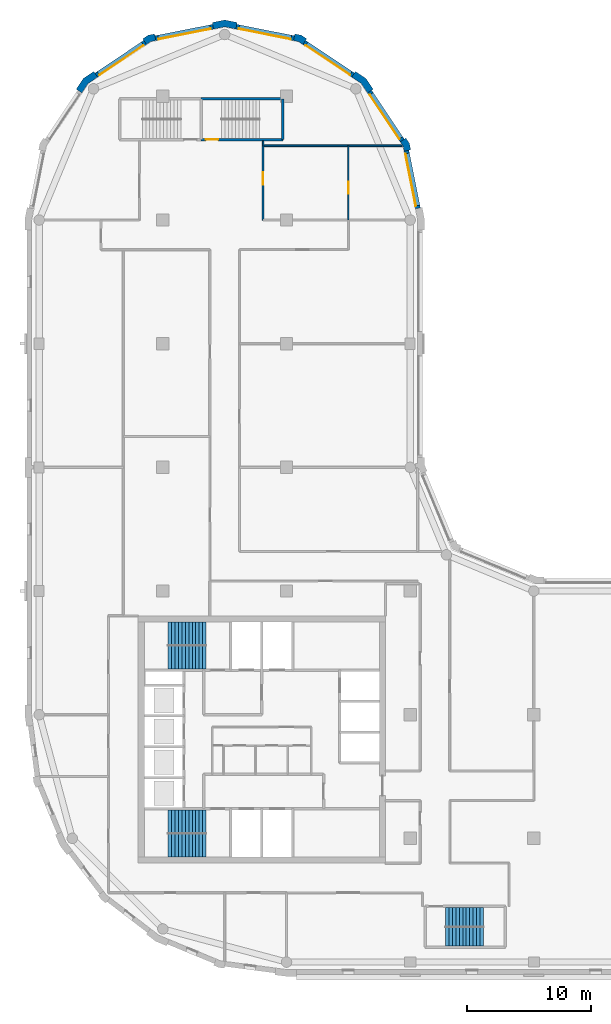
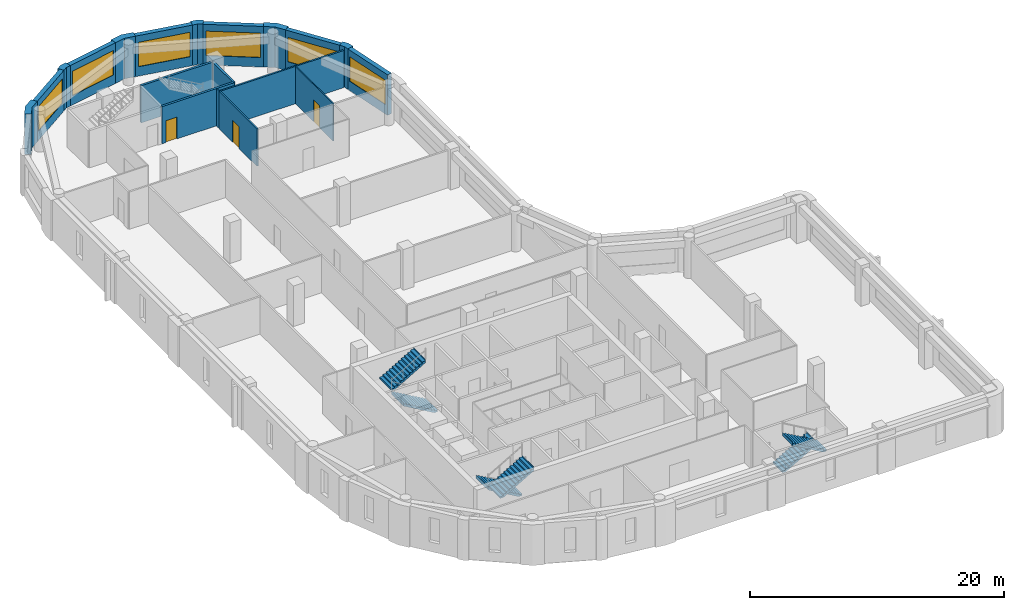
# One storey, part 6 of 9: 19 walls, 6 stair flights, 6 windows, 3 doors, 9 openings, 3 elements without a shape of their own.
"""IFC4 building model written with IfcOpenShell, lengths in metres."""

from ifc_helpers import new_model, si_unit, direction, frame, frame_2d, origin, place, context, subcontext, project, spatial, polyline, rectangle, outline, extrude, material, layer, layer_set, type_object, element, fill, aggregate, save


model = new_model("IFC4")

# Units and contexts
model_context = context("Model", 3, precision=1e-05, world=origin(), true_north=direction((0.0, 1.0)))
body_context = subcontext(model_context, "Body", "Model", "MODEL_VIEW")
ifc_project = project(units=[si_unit("LENGTHUNIT", "METRE"), si_unit("AREAUNIT", "SQUARE_METRE"), si_unit("VOLUMEUNIT", "CUBIC_METRE"), si_unit("PLANEANGLEUNIT", "RADIAN"), si_unit("MASSUNIT", "GRAM", prefix="KILO")], contexts=[model_context])

# Site, building, storey
site_placement = place(None, origin())
site = spatial("IfcSite", under=ifc_project, at=site_placement, CompositionType="ELEMENT")
building_placement = place(site_placement, origin())
building = spatial("IfcBuilding", under=site, at=building_placement, Name="Qaws Garden Tower", CompositionType="ELEMENT")
storey_placement = place(building_placement, frame((0.0, 0.0, 263.10009765625)))
storey = spatial("IfcBuildingStorey", under=building, at=storey_placement, Name="L63", CompositionType="ELEMENT", Elevation=263.10009765625)

# Wall, opening, window
ifc_material_1 = material(Name="Clay facing brick masonry", Category="masonry")
ifc_layer_1 = layer(ifc_material_1, 0.39990234375)
ifc_layer_set_1 = layer_set([ifc_layer_1], Name="Clay facing brick masonry")
wall_type_1 = type_object("IfcWallType", Name="Brick infill wall 400", PredefinedType="SOLIDWALL", material=ifc_layer_set_1)
wall_1_placement = place(storey_placement, frame((30.628662109375, 60.940673828125, 0.0), z_axis=(0.0, 0.0, 1.0), x_axis=(-0.195098533057, 0.98078364709, 0.0)))
wall_1 = element("IfcWall", 1, at=wall_1_placement, inside=storey, type_object=wall_type_1, Name="E-L63-infill-11", PredefinedType="SOLIDWALL", context=body_context, shape_type="SweptSolid", body=[
    extrude(rectangle(XDim=4.752685546875, YDim=0.39990234375, at=frame_2d((2.37646484375, 0.0))), origin(), (0.0, 0.0, 1.0), 3.89990234375),
])
opening_1_placement = place(wall_1_placement, frame((0.226318359375, 0.0, 0.89990234375)))
opening_1 = element("IfcOpeningElement", 2, at=opening_1_placement, cuts=wall_1, Name="Opening W06", PredefinedType="OPENING", context=body_context, shape_type="SweptSolid", body=[
    extrude(rectangle(XDim=4.300048828125, YDim=2.35009765625, at=frame_2d((2.14990234375, 1.175048828125))), frame((0.0, 0.2099609375, 0.0), z_axis=(0.0, -1.0, 0.0), x_axis=(1.0, 0.0, 0.0)), (0.0, 0.0, 1.0), 0.419921875),
])
ifc_material_2 = material(Name="Aluminium framed window, clear glazing", Category="aluminium")
window_type = type_object("IfcWindowType", Name="Ribbon window 4300 x 2350", PartitioningType="DOUBLE_PANEL_VERTICAL", PredefinedType="WINDOW", material=ifc_material_2)
window_1_placement = place(opening_1_placement, origin())
window_1 = element("IfcWindow", 3, at=window_1_placement, inside=storey, type_object=window_type, Name="E-L63-window-11-0", OverallHeight=2.35009765625, OverallWidth=4.300048828125, PartitioningType="SINGLE_PANEL", PredefinedType="WINDOW", context=body_context, shape_type="SweptSolid", body=[
    extrude(rectangle(XDim=4.300048828125, YDim=2.35009765625, at=frame_2d((2.14990234375, 1.175048828125))), frame((0.0, 0.159912109375, 0.0), z_axis=(0.0, -1.0, 0.0), x_axis=(1.0, 0.0, 0.0)), (0.0, 0.0, 1.0), 0.06005859375),
])
fill(opening_1, window_1)

wall_2_placement = place(storey_placement, frame((29.356689453125, 66.43408203125, 0.0), z_axis=(0.0, 0.0, 1.0), x_axis=(-0.555541552266, 0.831488775454, 0.0)))
wall_2 = element("IfcWall", 4, at=wall_2_placement, inside=storey, type_object=wall_type_1, Name="E-L63-infill-12", PredefinedType="SOLIDWALL", context=body_context, shape_type="SweptSolid", body=[
    extrude(rectangle(XDim=4.752685546875, YDim=0.39990234375, at=frame_2d((2.37646484375, 0.0))), origin(), (0.0, 0.0, 1.0), 3.89990234375),
])
opening_2_placement = place(wall_2_placement, frame((0.226318359375, 0.0, 0.89990234375)))
opening_2 = element("IfcOpeningElement", 5, at=opening_2_placement, cuts=wall_2, Name="Opening W06", PredefinedType="OPENING", context=body_context, shape_type="SweptSolid", body=[
    extrude(rectangle(XDim=4.300048828125, YDim=2.35009765625, at=frame_2d((2.14990234375, 1.175048828125))), frame((0.0, 0.2099609375, 0.0), z_axis=(0.0, -1.0, 0.0), x_axis=(1.0, 0.0, 0.0)), (0.0, 0.0, 1.0), 0.419921875),
])
window_2_placement = place(opening_2_placement, origin())
window_2 = element("IfcWindow", 6, at=window_2_placement, inside=storey, type_object=window_type, Name="E-L63-window-12-0", OverallHeight=2.35009765625, OverallWidth=4.300048828125, PartitioningType="SINGLE_PANEL", PredefinedType="WINDOW", context=body_context, shape_type="SweptSolid", body=[
    extrude(rectangle(XDim=4.300048828125, YDim=2.35009765625, at=frame_2d((2.14990234375, 1.175048828125))), frame((0.0, 0.159912109375, 0.0), z_axis=(0.0, -1.0, 0.0), x_axis=(1.0, 0.0, 0.0)), (0.0, 0.0, 1.0), 0.06005859375),
])
fill(opening_2, window_2)

wall_3_placement = place(storey_placement, frame((25.385986328125, 71.71630859375, 0.0), z_axis=(0.0, 0.0, 1.0), x_axis=(-0.831488775454, 0.555541552266, 0.0)))
wall_3 = element("IfcWall", 7, at=wall_3_placement, inside=storey, type_object=wall_type_1, Name="E-L63-infill-13", PredefinedType="SOLIDWALL", context=body_context, shape_type="SweptSolid", body=[
    extrude(rectangle(XDim=4.752685546875, YDim=0.39990234375, at=frame_2d((2.37646484375, 0.0))), origin(), (0.0, 0.0, 1.0), 3.89990234375),
])
opening_3_placement = place(wall_3_placement, frame((0.226318359375, 0.0, 0.89990234375)))
opening_3 = element("IfcOpeningElement", 8, at=opening_3_placement, cuts=wall_3, Name="Opening W06", PredefinedType="OPENING", context=body_context, shape_type="SweptSolid", body=[
    extrude(rectangle(XDim=4.300048828125, YDim=2.35009765625, at=frame_2d((2.14990234375, 1.175048828125))), frame((0.0, 0.2099609375, 0.0), z_axis=(0.0, -1.0, 0.0), x_axis=(1.0, 0.0, 0.0)), (0.0, 0.0, 1.0), 0.419921875),
])
window_3_placement = place(opening_3_placement, origin())
window_3 = element("IfcWindow", 9, at=window_3_placement, inside=storey, type_object=window_type, Name="E-L63-window-13-0", OverallHeight=2.35009765625, OverallWidth=4.300048828125, PartitioningType="SINGLE_PANEL", PredefinedType="WINDOW", context=body_context, shape_type="SweptSolid", body=[
    extrude(rectangle(XDim=4.300048828125, YDim=2.35009765625, at=frame_2d((2.14990234375, 1.175048828125))), frame((0.0, 0.159912109375, 0.0), z_axis=(0.0, -1.0, 0.0), x_axis=(1.0, 0.0, 0.0)), (0.0, 0.0, 1.0), 0.06005859375),
])
fill(opening_3, window_3)

wall_4_placement = place(storey_placement, frame((20.60205078125, 74.701416015625, 0.0), z_axis=(0.0, 0.0, 1.0), x_axis=(-0.98078364709, 0.195098533057, 0.0)))
wall_4 = element("IfcWall", 10, at=wall_4_placement, inside=storey, type_object=wall_type_1, Name="E-L63-infill-14", PredefinedType="SOLIDWALL", context=body_context, shape_type="SweptSolid", body=[
    extrude(rectangle(XDim=4.752685546875, YDim=0.39990234375, at=frame_2d((2.37646484375, 0.0))), origin(), (0.0, 0.0, 1.0), 3.89990234375),
])
opening_4_placement = place(wall_4_placement, frame((0.226318359375, 0.0, 0.89990234375)))
opening_4 = element("IfcOpeningElement", 11, at=opening_4_placement, cuts=wall_4, Name="Opening W06", PredefinedType="OPENING", context=body_context, shape_type="SweptSolid", body=[
    extrude(rectangle(XDim=4.300048828125, YDim=2.35009765625, at=frame_2d((2.14990234375, 1.175048828125))), frame((0.0, 0.2099609375, 0.0), z_axis=(0.0, -1.0, 0.0), x_axis=(1.0, 0.0, 0.0)), (0.0, 0.0, 1.0), 0.419921875),
])
window_4_placement = place(opening_4_placement, origin())
window_4 = element("IfcWindow", 12, at=window_4_placement, inside=storey, type_object=window_type, Name="E-L63-window-14-0", OverallHeight=2.35009765625, OverallWidth=4.300048828125, PartitioningType="SINGLE_PANEL", PredefinedType="WINDOW", context=body_context, shape_type="SweptSolid", body=[
    extrude(rectangle(XDim=4.300048828125, YDim=2.35009765625, at=frame_2d((2.14990234375, 1.175048828125))), frame((0.0, 0.159912109375, 0.0), z_axis=(0.0, -1.0, 0.0), x_axis=(1.0, 0.0, 0.0)), (0.0, 0.0, 1.0), 0.06005859375),
])
fill(opening_4, window_4)

wall_5_placement = place(storey_placement, frame((14.059326171875, 75.628662109375, 0.0), z_axis=(0.0, 0.0, 1.0), x_axis=(-0.98078364709, -0.195098533057, 0.0)))
wall_5 = element("IfcWall", 13, at=wall_5_placement, inside=storey, type_object=wall_type_1, Name="E-L63-infill-15", PredefinedType="SOLIDWALL", context=body_context, shape_type="SweptSolid", body=[
    extrude(rectangle(XDim=4.752685546875, YDim=0.39990234375, at=frame_2d((2.37646484375, 0.0))), origin(), (0.0, 0.0, 1.0), 3.89990234375),
])
opening_5_placement = place(wall_5_placement, frame((0.226318359375, 0.0, 0.89990234375)))
opening_5 = element("IfcOpeningElement", 14, at=opening_5_placement, cuts=wall_5, Name="Opening W06", PredefinedType="OPENING", context=body_context, shape_type="SweptSolid", body=[
    extrude(rectangle(XDim=4.300048828125, YDim=2.35009765625, at=frame_2d((2.14990234375, 1.175048828125))), frame((0.0, 0.2099609375, 0.0), z_axis=(0.0, -1.0, 0.0), x_axis=(1.0, 0.0, 0.0)), (0.0, 0.0, 1.0), 0.419921875),
])
window_5_placement = place(opening_5_placement, origin())
window_5 = element("IfcWindow", 15, at=window_5_placement, inside=storey, type_object=window_type, Name="E-L63-window-15-0", OverallHeight=2.35009765625, OverallWidth=4.300048828125, PartitioningType="SINGLE_PANEL", PredefinedType="WINDOW", context=body_context, shape_type="SweptSolid", body=[
    extrude(rectangle(XDim=4.300048828125, YDim=2.35009765625, at=frame_2d((2.14990234375, 1.175048828125))), frame((0.0, 0.159912109375, 0.0), z_axis=(0.0, -1.0, 0.0), x_axis=(1.0, 0.0, 0.0)), (0.0, 0.0, 1.0), 0.06005859375),
])
fill(opening_5, window_5)

wall_6_placement = place(storey_placement, frame((8.56591796875, 74.356689453125, 0.0), z_axis=(0.0, 0.0, 1.0), x_axis=(-0.831488775454, -0.555541552266, 0.0)))
wall_6 = element("IfcWall", 16, at=wall_6_placement, inside=storey, type_object=wall_type_1, Name="E-L63-infill-16", PredefinedType="SOLIDWALL", context=body_context, shape_type="SweptSolid", body=[
    extrude(rectangle(XDim=4.752685546875, YDim=0.39990234375, at=frame_2d((2.37646484375, 0.0))), origin(), (0.0, 0.0, 1.0), 3.89990234375),
])
opening_6_placement = place(wall_6_placement, frame((0.226318359375, 0.0, 0.89990234375)))
opening_6 = element("IfcOpeningElement", 17, at=opening_6_placement, cuts=wall_6, Name="Opening W06", PredefinedType="OPENING", context=body_context, shape_type="SweptSolid", body=[
    extrude(rectangle(XDim=4.300048828125, YDim=2.35009765625, at=frame_2d((2.14990234375, 1.175048828125))), frame((0.0, 0.2099609375, 0.0), z_axis=(0.0, -1.0, 0.0), x_axis=(1.0, 0.0, 0.0)), (0.0, 0.0, 1.0), 0.419921875),
])
window_6_placement = place(opening_6_placement, origin())
window_6 = element("IfcWindow", 18, at=window_6_placement, inside=storey, type_object=window_type, Name="E-L63-window-16-0", OverallHeight=2.35009765625, OverallWidth=4.300048828125, PartitioningType="SINGLE_PANEL", PredefinedType="WINDOW", context=body_context, shape_type="SweptSolid", body=[
    extrude(rectangle(XDim=4.300048828125, YDim=2.35009765625, at=frame_2d((2.14990234375, 1.175048828125))), frame((0.0, 0.159912109375, 0.0), z_axis=(0.0, -1.0, 0.0), x_axis=(1.0, 0.0, 0.0)), (0.0, 0.0, 1.0), 0.06005859375),
])
fill(opening_6, window_6)

# Walls
ifc_material_3 = material(Name="Clay facing brick masonry", Category="masonry")
ifc_layer_2 = layer(ifc_material_3, 0.550048828125)
ifc_layer_set_2 = layer_set([ifc_layer_2], Name="Clay facing brick masonry")
wall_type_2 = type_object("IfcWallType", Name="Brick kink pier 550 x 600", PredefinedType="SOLIDWALL", material=ifc_layer_set_2)
placement = place(storey_placement, origin())
element("IfcWall", 19, at=placement, inside=storey, type_object=wall_type_2, Name="E-L63-pier-12", PredefinedType="SOLIDWALL", context=body_context, shape_type="SweptSolid", body=[
    extrude(outline(polyline([(29.8974609375, 65.64111328125), (30.044677734375, 65.67041015625), (29.94140625, 66.18896484375), (29.647705078125, 66.628662109375), (29.52294921875, 66.545166015625), (29.1904296875, 66.322998046875), (29.42333984375, 65.974365234375), (29.505126953125, 65.56298828125), (29.8974609375, 65.64111328125)])), origin(), (0.0, 0.0, 1.0), 3.89990234375),
])
element("IfcWall", 20, at=placement, inside=storey, type_object=wall_type_2, Name="E-L63-pier-14", PredefinedType="SOLIDWALL", context=body_context, shape_type="SweptSolid", body=[
    extrude(outline(polyline([(21.545166015625, 74.52294921875), (21.628662109375, 74.647705078125), (21.18896484375, 74.94140625), (20.67041015625, 75.044677734375), (20.64111328125, 74.8974609375), (20.56298828125, 74.505126953125), (20.974365234375, 74.42333984375), (21.322998046875, 74.1904296875), (21.545166015625, 74.52294921875)])), origin(), (0.0, 0.0, 1.0), 3.89990234375),
])
element("IfcWall", 21, at=placement, inside=storey, type_object=wall_type_2, Name="E-L63-pier-16", PredefinedType="SOLIDWALL", context=body_context, shape_type="SweptSolid", body=[
    extrude(outline(polyline([(9.35888671875, 74.8974609375), (9.32958984375, 75.044677734375), (8.81103515625, 74.94140625), (8.371337890625, 74.647705078125), (8.454833984375, 74.52294921875), (8.677001953125, 74.1904296875), (9.025634765625, 74.42333984375), (9.43701171875, 74.505126953125), (9.35888671875, 74.8974609375)])), origin(), (0.0, 0.0, 1.0), 3.89990234375),
])
ifc_material_4 = material(Name="Clay facing brick masonry", Category="masonry")
ifc_layer_3 = layer(ifc_material_4, 0.550048828125)
ifc_layer_set_3 = layer_set([ifc_layer_3], Name="Clay facing brick masonry")
wall_type_3 = type_object("IfcWallType", Name="Brick pier 550 x 1600", PredefinedType="SOLIDWALL", material=ifc_layer_set_3)
element("IfcWall", 22, at=placement, inside=storey, type_object=wall_type_3, Name="E-L63-pier-13", PredefinedType="SOLIDWALL", context=body_context, shape_type="SweptSolid", body=[
    extrude(outline(polyline([(26.882568359375, 70.4970703125), (27.00732421875, 70.580322265625), (26.435791015625, 71.435791015625), (25.580322265625, 72.00732421875), (25.4970703125, 71.882568359375), (25.274658203125, 71.550048828125), (26.0390625, 71.0390625), (26.550048828125, 70.274658203125), (26.882568359375, 70.4970703125)])), origin(), (0.0, 0.0, 1.0), 3.89990234375),
])
element("IfcWall", 23, at=placement, inside=storey, type_object=wall_type_3, Name="E-L63-pier-15", PredefinedType="SOLIDWALL", context=body_context, shape_type="SweptSolid", body=[
    extrude(outline(polyline([(15.979736328125, 75.82470703125), (16.009033203125, 75.971923828125), (15.0, 76.172607421875), (13.990966796875, 75.971923828125), (14.020263671875, 75.82470703125), (14.098388671875, 75.432373046875), (15.0, 75.61181640625), (15.901611328125, 75.432373046875), (15.979736328125, 75.82470703125)])), origin(), (0.0, 0.0, 1.0), 3.89990234375),
])
element("IfcWall", 24, at=placement, inside=storey, type_object=wall_type_3, Name="E-L63-pier-17", PredefinedType="SOLIDWALL", context=body_context, shape_type="SweptSolid", body=[
    extrude(outline(polyline([(4.5029296875, 71.882568359375), (4.419677734375, 72.00732421875), (3.564208984375, 71.435791015625), (2.99267578125, 70.580322265625), (3.117431640625, 70.4970703125), (3.449951171875, 70.274658203125), (3.9609375, 71.0390625), (4.725341796875, 71.550048828125), (4.5029296875, 71.882568359375)])), origin(), (0.0, 0.0, 1.0), 3.89990234375),
])

# Wall, opening, door
ifc_material_5 = material(Name="Concrete C60", Category="concrete")
ifc_layer_4 = layer(ifc_material_5, 0.199951171875)
ifc_layer_set_4 = layer_set([ifc_layer_4], Name="Concrete C60")
wall_type_4 = type_object("IfcWallType", Name="Core shaft wall 200 C60", PredefinedType="SHEAR", material=ifc_layer_set_4)
wall_13_placement = place(storey_placement, frame((13.10009765625, 66.5, 0.0), z_axis=(0.0, 0.0, 1.0), x_axis=(1.0, 0.0, 0.0)))
wall_13 = element("IfcWall", 25, at=wall_13_placement, inside=storey, type_object=wall_type_4, Name="Shaft wall", PredefinedType="SHEAR", context=body_context, shape_type="SweptSolid", body=[
    extrude(rectangle(XDim=6.599853515625, YDim=0.199951171875, at=frame_2d((3.2998046875, 0.0))), origin(), (0.0, 0.0, 1.0), 3.579833984375),
])
opening_7_placement = place(wall_13_placement, frame((0.375, 0.0, 0.0)))
opening_7 = element("IfcOpeningElement", 26, at=opening_7_placement, cuts=wall_13, Name="Opening SD14", PredefinedType="OPENING", context=body_context, shape_type="SweptSolid", body=[
    extrude(rectangle(XDim=1.0, YDim=2.10009765625, at=frame_2d((0.5, 1.050048828125))), frame((0.0, 0.10986328125, 0.0), z_axis=(0.0, -1.0, 0.0), x_axis=(1.0, 0.0, 0.0)), (0.0, 0.0, 1.0), 0.219970703125),
])
ifc_material_6 = material(Name="Steel S235", Category="steel")
door_type_1 = type_object("IfcDoorType", Name="Stair door 1000x2100", OperationType="SINGLE_SWING_RIGHT", PredefinedType="DOOR", material=ifc_material_6)
door_1_placement = place(opening_7_placement, origin())
door_1 = element("IfcDoor", 27, at=door_1_placement, inside=storey, type_object=door_type_1, Name="Stair 7 door", OperationType="SINGLE_SWING_LEFT", OverallHeight=2.10009765625, OverallWidth=1.0, PredefinedType="DOOR", context=body_context, shape_type="SweptSolid", body=[
    extrude(rectangle(XDim=1.0, YDim=2.10009765625, at=frame_2d((0.5, 1.050048828125))), frame((0.0, 0.02490234375, 0.0), z_axis=(0.0, -1.0, 0.0), x_axis=(1.0, 0.0, 0.0)), (0.0, 0.0, 1.0), 0.050048828125),
])
fill(opening_7, door_1)

# Walls
wall_14_placement = place(storey_placement, frame((13.10009765625, 69.800048828125, 0.0), z_axis=(0.0, 0.0, 1.0), x_axis=(1.0, 0.0, 0.0)))
element("IfcWall", 28, at=wall_14_placement, inside=storey, type_object=wall_type_4, Name="Shaft wall", PredefinedType="SHEAR", context=body_context, shape_type="SweptSolid", body=[
    extrude(rectangle(XDim=6.599853515625, YDim=0.199951171875, at=frame_2d((3.2998046875, 0.0))), origin(), (0.0, 0.0, 1.0), 3.579833984375),
])
wall_15_placement = place(storey_placement, frame((19.699951171875, 66.5, 0.0), z_axis=(0.0, 0.0, 1.0), x_axis=(0.0, 1.0, 0.0)))
element("IfcWall", 29, at=wall_15_placement, inside=storey, type_object=wall_type_4, Name="Shaft wall", PredefinedType="SHEAR", context=body_context, shape_type="SweptSolid", body=[
    extrude(rectangle(XDim=3.300048828125, YDim=0.199951171875, at=frame_2d((1.64990234375, 0.0))), origin(), (0.0, 0.0, 1.0), 3.579833984375),
])
ifc_material_7 = material(Name="Glass and aluminium framing", Category="aluminium")
ifc_layer_5 = layer(ifc_material_7, 0.1201171875)
ifc_layer_set_5 = layer_set([ifc_layer_5], Name="Glass and aluminium framing")
wall_type_5 = type_object("IfcWallType", Name="GLAZED PARTITION 120 EI 30", PredefinedType="PARTITIONING", material=ifc_layer_set_5)
wall_16_placement = place(storey_placement, frame((18.10009765625, 66.0, 0.0), z_axis=(0.0, 0.0, 1.0), x_axis=(0.0, 1.0, 0.0)))
element("IfcWall", 30, at=wall_16_placement, inside=storey, type_object=wall_type_5, Name="O-L63-wall-043", PredefinedType="PARTITIONING", context=body_context, shape_type="SweptSolid", body=[
    extrude(rectangle(XDim=0.39990234375, YDim=0.1201171875, at=frame_2d((0.199951171875, 0.0))), origin(), (0.0, 0.0, 1.0), 3.579833984375),
])

# Wall, opening, door
ifc_material_8 = material(Name="Gypsum board partition")
ifc_layer_6 = layer(ifc_material_8, 0.10009765625)
ifc_layer_set_6 = layer_set([ifc_layer_6], Name="Gypsum board partition")
wall_type_6 = type_object("IfcWallType", Name="PARTITION 100", PredefinedType="PARTITIONING", material=ifc_layer_set_6)
wall_17_placement = place(storey_placement, frame((25.0, 60.0, 0.0), z_axis=(0.0, 0.0, 1.0), x_axis=(0.0, 1.0, 0.0)))
wall_17 = element("IfcWall", 31, at=wall_17_placement, inside=storey, type_object=wall_type_6, Name="O-L63-wall-001", PredefinedType="PARTITIONING", context=body_context, shape_type="SweptSolid", body=[
    extrude(rectangle(XDim=6.0, YDim=0.10009765625, at=frame_2d((3.0, 0.0))), origin(), (0.0, 0.0, 1.0), 3.579833984375),
])
opening_8_placement = place(wall_17_placement, frame((2.125, 0.0, 0.0)))
opening_8 = element("IfcOpeningElement", 32, at=opening_8_placement, cuts=wall_17, Name="Opening C219", PredefinedType="OPENING", context=body_context, shape_type="SweptSolid", body=[
    extrude(rectangle(XDim=0.949951171875, YDim=2.10009765625, at=frame_2d((0.47509765625, 1.050048828125))), frame((0.0, 0.06005859375, 0.0), z_axis=(0.0, -1.0, 0.0), x_axis=(1.0, 0.0, 0.0)), (0.0, 0.0, 1.0), 0.1201171875),
])
ifc_material_9 = material(Name="Timber and glass door leaf", Category="wood")
door_type_2 = type_object("IfcDoorType", Name="GLAZED DOOR 950 X 2100", OperationType="SINGLE_SWING_LEFT", PredefinedType="DOOR", material=ifc_material_9)
door_2_placement = place(opening_8_placement, frame((0.949951171875, 0.0, 0.0), z_axis=(0.0, 0.0, 1.0), x_axis=(-1.0, 0.0, 0.0)))
door_2 = element("IfcDoor", 33, at=door_2_placement, inside=storey, type_object=door_type_2, Name="O-L63-door-019", OperationType="SINGLE_SWING_RIGHT", OverallHeight=2.10009765625, OverallWidth=0.949951171875, PredefinedType="DOOR", context=body_context, shape_type="SweptSolid", body=[
    extrude(rectangle(XDim=0.949951171875, YDim=2.10009765625, at=frame_2d((0.47509765625, 1.050048828125))), frame((0.0, 0.02490234375, 0.0), z_axis=(0.0, -1.0, 0.0), x_axis=(1.0, 0.0, 0.0)), (0.0, 0.0, 1.0), 0.050048828125),
])
fill(opening_8, door_2)

ifc_material_10 = material(Name="Gypsum board partition")
ifc_layer_7 = layer(ifc_material_10, 0.14990234375)
ifc_layer_set_7 = layer_set([ifc_layer_7], Name="Gypsum board partition")
wall_type_7 = type_object("IfcWallType", Name="PARTITION 150 EI 60", PredefinedType="PARTITIONING", material=ifc_layer_set_7)
wall_18_placement = place(storey_placement, frame((18.10009765625, 60.0, 0.0), z_axis=(0.0, 0.0, 1.0), x_axis=(0.0, 1.0, 0.0)))
wall_18 = element("IfcWall", 34, at=wall_18_placement, inside=storey, type_object=wall_type_7, Name="O-L63-wall-009", PredefinedType="PARTITIONING", context=body_context, shape_type="SweptSolid", body=[
    extrude(rectangle(XDim=6.0, YDim=0.14990234375, at=frame_2d((3.0, 0.0))), origin(), (0.0, 0.0, 1.0), 3.579833984375),
])
opening_9_placement = place(wall_18_placement, frame((2.85009765625, 0.0, 0.0)))
opening_9 = element("IfcOpeningElement", 35, at=opening_9_placement, cuts=wall_18, Name="Opening C209", PredefinedType="OPENING", context=body_context, shape_type="SweptSolid", body=[
    extrude(rectangle(XDim=1.0, YDim=2.10009765625, at=frame_2d((0.5, 1.050048828125))), frame((0.0, 0.0849609375, 0.0), z_axis=(0.0, -1.0, 0.0), x_axis=(1.0, 0.0, 0.0)), (0.0, 0.0, 1.0), 0.169921875),
])
ifc_material_11 = material(Name="Timber door leaf", Category="wood")
door_type_3 = type_object("IfcDoorType", Name="TENANCY ENTRANCE DOOR 1000 X 2100", OperationType="SINGLE_SWING_LEFT", PredefinedType="DOOR", material=ifc_material_11)
door_3_placement = place(opening_9_placement, frame((1.0, 0.0, 0.0), z_axis=(0.0, 0.0, 1.0), x_axis=(-1.0, 0.0, 0.0)))
door_3 = element("IfcDoor", 36, at=door_3_placement, inside=storey, type_object=door_type_3, Name="O-L63-door-009", OperationType="SINGLE_SWING_RIGHT", OverallHeight=2.10009765625, OverallWidth=1.0, PredefinedType="DOOR", context=body_context, shape_type="SweptSolid", body=[
    extrude(rectangle(XDim=1.0, YDim=2.10009765625, at=frame_2d((0.5, 1.050048828125))), frame((0.0, 0.02490234375, 0.0), z_axis=(0.0, -1.0, 0.0), x_axis=(1.0, 0.0, 0.0)), (0.0, 0.0, 1.0), 0.050048828125),
])
fill(opening_9, door_3)

# Wall
wall_19_placement = place(storey_placement, frame((18.10009765625, 66.0, 0.0), z_axis=(0.0, 0.0, 1.0), x_axis=(1.0, 0.0, 0.0)))
element("IfcWall", 37, at=wall_19_placement, inside=storey, type_object=wall_type_7, Name="O-L63-wall-038", PredefinedType="PARTITIONING", context=body_context, shape_type="SweptSolid", body=[
    extrude(rectangle(XDim=11.256103515625, YDim=0.14990234375, at=frame_2d((5.6279296875, 0.0))), origin(), (0.0, 0.0, 1.0), 3.579833984375),
])

# Stair, stair flights
ifc_material_12 = material(Name="Concrete C40", Category="concrete")
stair_type_1 = type_object("IfcStairType", Name="Exit stair 1350", PredefinedType="HALF_TURN_STAIR", material=ifc_material_12)
stair_1 = element("IfcStair", 38, at=placement, inside=storey, type_object=stair_type_1, Name="Stair 5", PredefinedType="HALF_TURN_STAIR")
ifc_material_13 = material(Name="Concrete C40", Category="concrete")
stair_flight_type_1 = type_object("IfcStairFlightType", Name="Stair flight 1350", PredefinedType="STRAIGHT", material=ifc_material_13)
stair_flight_1_placement = place(storey_placement, frame((32.85009765625, 3.625, 0.0), z_axis=(0.0, 0.0, 1.0), x_axis=(1.0, 0.0, 0.0)))
stair_flight_1 = element("IfcStairFlight", 39, at=stair_flight_1_placement, type_object=stair_flight_type_1, Name="ST5 flight 1", NumberOfRisers=12, NumberOfTreads=11, PredefinedType="STRAIGHT", RiserHeight=0.1625, TreadLength=0.28, context=body_context, shape_type="SweptSolid", body=[
    extrude(outline(polyline([(-0.0029296875, 0.0), (-0.0029296875, 0.16259765625), (0.0, 0.16259765625), (0.280029296875, 0.16259765625), (0.280029296875, 0.324951171875), (0.56005859375, 0.324951171875), (0.56005859375, 0.487548828125), (0.840087890625, 0.487548828125), (0.840087890625, 0.64990234375), (1.1201171875, 0.64990234375), (1.1201171875, 0.8125), (1.39990234375, 0.8125), (1.39990234375, 0.97509765625), (1.679931640625, 0.97509765625), (1.679931640625, 1.137451171875), (1.9599609375, 1.137451171875), (1.9599609375, 1.300048828125), (2.239990234375, 1.300048828125), (2.239990234375, 1.46240234375), (2.52001953125, 1.46240234375), (2.52001953125, 1.625), (2.800048828125, 1.625), (2.800048828125, 1.78759765625), (3.080078125, 1.78759765625), (3.080078125, 1.949951171875), (3.0830078125, 1.949951171875), (3.0830078125, 1.6142578125), (3.080078125, 1.6142578125), (0.298583984375, 0.0), (-0.0029296875, 0.0)])), frame((0.0, 0.77490234375, 0.0), z_axis=(0.0, -1.0, 0.0), x_axis=(1.0, 0.0, 0.0)), (0.0, 0.0, 1.0), 1.550048828125),
])
stair_flight_2_placement = place(storey_placement, frame((35.929931640625, 2.074951171875, 1.949951171875), z_axis=(0.0, 0.0, 1.0), x_axis=(-1.0, 0.0, 0.0)))
stair_flight_2 = element("IfcStairFlight", 40, at=stair_flight_2_placement, type_object=stair_flight_type_1, Name="ST5 flight 2", NumberOfRisers=12, NumberOfTreads=11, PredefinedType="STRAIGHT", RiserHeight=0.1625, TreadLength=0.28, context=body_context, shape_type="SweptSolid", body=[
    extrude(outline(polyline([(-0.0029296875, 0.0), (-0.0029296875, 0.16259765625), (0.0, 0.16259765625), (0.280029296875, 0.16259765625), (0.280029296875, 0.324951171875), (0.56005859375, 0.324951171875), (0.56005859375, 0.487548828125), (0.840087890625, 0.487548828125), (0.840087890625, 0.64990234375), (1.1201171875, 0.64990234375), (1.1201171875, 0.8125), (1.39990234375, 0.8125), (1.39990234375, 0.97509765625), (1.679931640625, 0.97509765625), (1.679931640625, 1.137451171875), (1.9599609375, 1.137451171875), (1.9599609375, 1.300048828125), (2.239990234375, 1.300048828125), (2.239990234375, 1.46240234375), (2.52001953125, 1.46240234375), (2.52001953125, 1.625), (2.800048828125, 1.625), (2.800048828125, 1.78759765625), (3.080078125, 1.78759765625), (3.080078125, 1.949951171875), (3.0830078125, 1.949951171875), (3.0830078125, 1.6142578125), (3.080078125, 1.6142578125), (0.298583984375, 0.0), (-0.0029296875, 0.0)])), frame((0.0, 0.77490234375, 0.0), z_axis=(0.0, -1.0, 0.0), x_axis=(1.0, 0.0, 0.0)), (0.0, 0.0, 1.0), 1.550048828125),
])
aggregate(stair_1, [stair_flight_1, stair_flight_2])

ifc_material_14 = material(Name="Concrete C40", Category="concrete")
stair_type_2 = type_object("IfcStairType", Name="Exit stair 1500", PredefinedType="HALF_TURN_STAIR", material=ifc_material_14)
stair_2 = element("IfcStair", 41, at=placement, inside=storey, type_object=stair_type_2, Name="Stair 1", PredefinedType="HALF_TURN_STAIR")
ifc_material_15 = material(Name="Concrete C40", Category="concrete")
stair_flight_type_2 = type_object("IfcStairFlightType", Name="Stair flight 1500", PredefinedType="STRAIGHT", material=ifc_material_15)
stair_flight_3_placement = place(storey_placement, frame((13.5, 11.35009765625, 0.0), z_axis=(0.0, 0.0, 1.0), x_axis=(-1.0, 0.0, 0.0)))
stair_flight_3 = element("IfcStairFlight", 42, at=stair_flight_3_placement, type_object=stair_flight_type_2, Name="ST1 flight 1", NumberOfRisers=12, NumberOfTreads=11, PredefinedType="STRAIGHT", RiserHeight=0.1625, TreadLength=0.28, context=body_context, shape_type="SweptSolid", body=[
    extrude(outline(polyline([(-0.0029296875, 0.0), (-0.0029296875, 0.16259765625), (0.0, 0.16259765625), (0.280029296875, 0.16259765625), (0.280029296875, 0.324951171875), (0.56005859375, 0.324951171875), (0.56005859375, 0.487548828125), (0.840087890625, 0.487548828125), (0.840087890625, 0.64990234375), (1.1201171875, 0.64990234375), (1.1201171875, 0.8125), (1.39990234375, 0.8125), (1.39990234375, 0.97509765625), (1.679931640625, 0.97509765625), (1.679931640625, 1.137451171875), (1.9599609375, 1.137451171875), (1.9599609375, 1.300048828125), (2.239990234375, 1.300048828125), (2.239990234375, 1.46240234375), (2.52001953125, 1.46240234375), (2.52001953125, 1.625), (2.800048828125, 1.625), (2.800048828125, 1.78759765625), (3.080078125, 1.78759765625), (3.080078125, 1.949951171875), (3.0830078125, 1.949951171875), (3.0830078125, 1.6142578125), (3.080078125, 1.6142578125), (0.298583984375, 0.0), (-0.0029296875, 0.0)])), frame((0.0, 0.949951171875, 0.0), z_axis=(0.0, -1.0, 0.0), x_axis=(1.0, 0.0, 0.0)), (0.0, 0.0, 1.0), 1.89990234375),
])
stair_flight_4_placement = place(storey_placement, frame((10.419921875, 9.449951171875, 1.949951171875), z_axis=(0.0, 0.0, 1.0), x_axis=(1.0, 0.0, 0.0)))
stair_flight_4 = element("IfcStairFlight", 43, at=stair_flight_4_placement, type_object=stair_flight_type_2, Name="ST1 flight 2", NumberOfRisers=12, NumberOfTreads=11, PredefinedType="STRAIGHT", RiserHeight=0.1625, TreadLength=0.28, context=body_context, shape_type="SweptSolid", body=[
    extrude(outline(polyline([(-0.0029296875, 0.0), (-0.0029296875, 0.16259765625), (0.0, 0.16259765625), (0.280029296875, 0.16259765625), (0.280029296875, 0.324951171875), (0.56005859375, 0.324951171875), (0.56005859375, 0.487548828125), (0.840087890625, 0.487548828125), (0.840087890625, 0.64990234375), (1.1201171875, 0.64990234375), (1.1201171875, 0.8125), (1.39990234375, 0.8125), (1.39990234375, 0.97509765625), (1.679931640625, 0.97509765625), (1.679931640625, 1.137451171875), (1.9599609375, 1.137451171875), (1.9599609375, 1.300048828125), (2.239990234375, 1.300048828125), (2.239990234375, 1.46240234375), (2.52001953125, 1.46240234375), (2.52001953125, 1.625), (2.800048828125, 1.625), (2.800048828125, 1.78759765625), (3.080078125, 1.78759765625), (3.080078125, 1.949951171875), (3.0830078125, 1.949951171875), (3.0830078125, 1.6142578125), (3.080078125, 1.6142578125), (0.298583984375, 0.0), (-0.0029296875, 0.0)])), frame((0.0, 0.949951171875, 0.0), z_axis=(0.0, -1.0, 0.0), x_axis=(1.0, 0.0, 0.0)), (0.0, 0.0, 1.0), 1.89990234375),
])
aggregate(stair_2, [stair_flight_3, stair_flight_4])

stair_3 = element("IfcStair", 44, at=placement, inside=storey, type_object=stair_type_2, Name="Stair 4", PredefinedType="HALF_TURN_STAIR")
stair_flight_5_placement = place(storey_placement, frame((13.5, 24.64990234375, 0.0), z_axis=(0.0, 0.0, 1.0), x_axis=(-1.0, 0.0, 0.0)))
stair_flight_5 = element("IfcStairFlight", 45, at=stair_flight_5_placement, type_object=stair_flight_type_2, Name="ST4 flight 1", NumberOfRisers=12, NumberOfTreads=11, PredefinedType="STRAIGHT", RiserHeight=0.1625, TreadLength=0.28, context=body_context, shape_type="SweptSolid", body=[
    extrude(outline(polyline([(-0.0029296875, 0.0), (-0.0029296875, 0.16259765625), (0.0, 0.16259765625), (0.280029296875, 0.16259765625), (0.280029296875, 0.324951171875), (0.56005859375, 0.324951171875), (0.56005859375, 0.487548828125), (0.840087890625, 0.487548828125), (0.840087890625, 0.64990234375), (1.1201171875, 0.64990234375), (1.1201171875, 0.8125), (1.39990234375, 0.8125), (1.39990234375, 0.97509765625), (1.679931640625, 0.97509765625), (1.679931640625, 1.137451171875), (1.9599609375, 1.137451171875), (1.9599609375, 1.300048828125), (2.239990234375, 1.300048828125), (2.239990234375, 1.46240234375), (2.52001953125, 1.46240234375), (2.52001953125, 1.625), (2.800048828125, 1.625), (2.800048828125, 1.78759765625), (3.080078125, 1.78759765625), (3.080078125, 1.949951171875), (3.0830078125, 1.949951171875), (3.0830078125, 1.6142578125), (3.080078125, 1.6142578125), (0.298583984375, 0.0), (-0.0029296875, 0.0)])), frame((0.0, 0.94482421875, 0.0), z_axis=(0.0, -1.0, 0.0), x_axis=(1.0, 0.0, 0.0)), (0.0, 0.0, 1.0), 1.889892578125),
])
stair_flight_6_placement = place(storey_placement, frame((10.419921875, 26.550048828125, 1.949951171875), z_axis=(0.0, 0.0, 1.0), x_axis=(1.0, 0.0, 0.0)))
stair_flight_6 = element("IfcStairFlight", 46, at=stair_flight_6_placement, type_object=stair_flight_type_2, Name="ST4 flight 2", NumberOfRisers=12, NumberOfTreads=11, PredefinedType="STRAIGHT", RiserHeight=0.1625, TreadLength=0.28, context=body_context, shape_type="SweptSolid", body=[
    extrude(outline(polyline([(-0.0029296875, 0.0), (-0.0029296875, 0.16259765625), (0.0, 0.16259765625), (0.280029296875, 0.16259765625), (0.280029296875, 0.324951171875), (0.56005859375, 0.324951171875), (0.56005859375, 0.487548828125), (0.840087890625, 0.487548828125), (0.840087890625, 0.64990234375), (1.1201171875, 0.64990234375), (1.1201171875, 0.8125), (1.39990234375, 0.8125), (1.39990234375, 0.97509765625), (1.679931640625, 0.97509765625), (1.679931640625, 1.137451171875), (1.9599609375, 1.137451171875), (1.9599609375, 1.300048828125), (2.239990234375, 1.300048828125), (2.239990234375, 1.46240234375), (2.52001953125, 1.46240234375), (2.52001953125, 1.625), (2.800048828125, 1.625), (2.800048828125, 1.78759765625), (3.080078125, 1.78759765625), (3.080078125, 1.949951171875), (3.0830078125, 1.949951171875), (3.0830078125, 1.6142578125), (3.080078125, 1.6142578125), (0.298583984375, 0.0), (-0.0029296875, 0.0)])), frame((0.0, 0.94482421875, 0.0), z_axis=(0.0, -1.0, 0.0), x_axis=(1.0, 0.0, 0.0)), (0.0, 0.0, 1.0), 1.889892578125),
])
aggregate(stair_3, [stair_flight_5, stair_flight_6])

save(model, "model.ifc")
